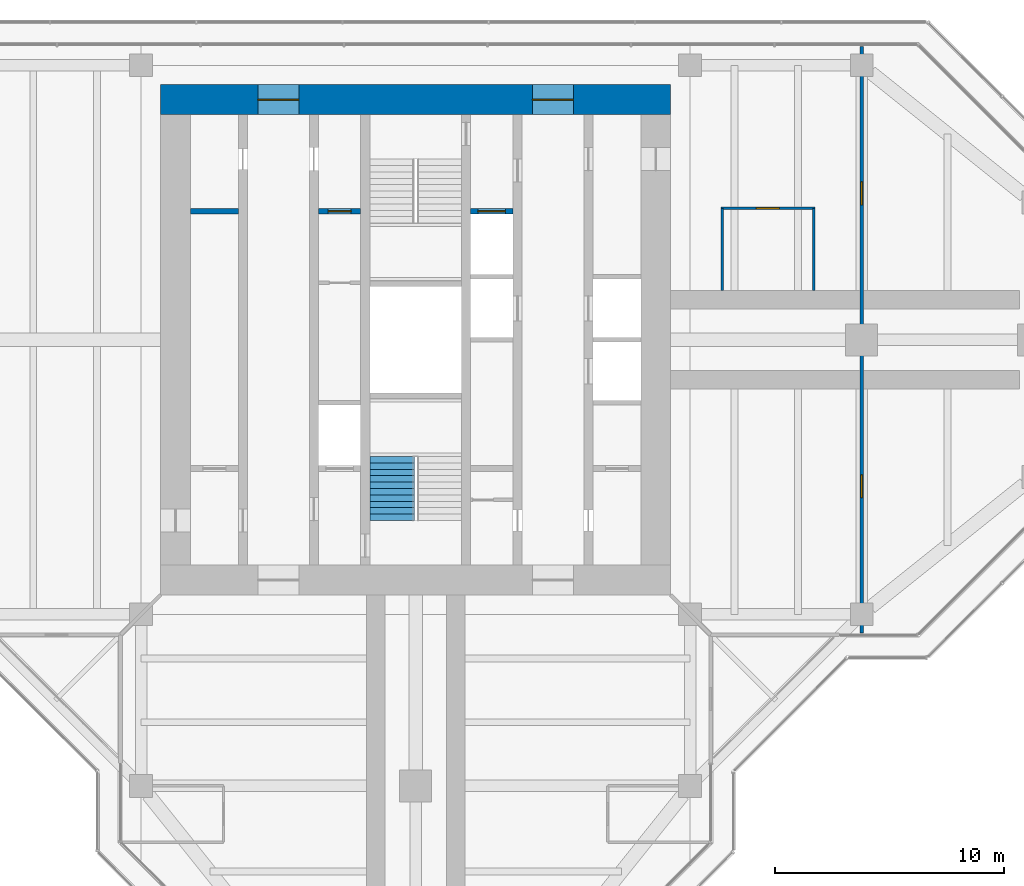
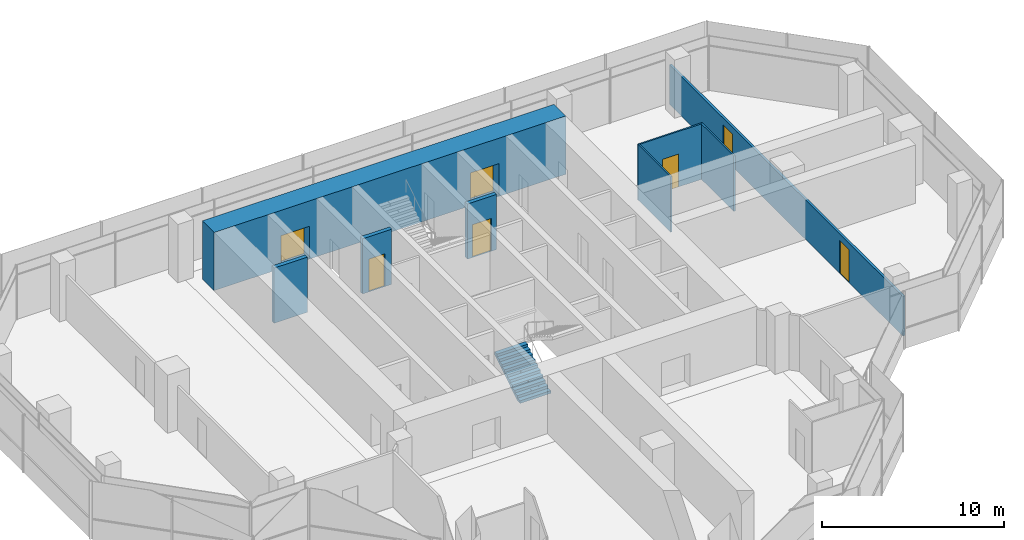
# One storey, part 13 of 15: 8 walls, 7 doors, 1 stair flight, 7 openings, 1 element without a shape of its own.
"""IFC4 building model written with IfcOpenShell, lengths in metres."""

import ifcopenshell
import ifcopenshell.guid

model = None  # the IFC model being written
_history = None  # IfcOwnerHistory: only IFC2X3 demands one
_inside = {}  # id of a spatial element -> (the spatial element, [elements in it])
_under = {}  # id of a project, library or spatial element -> (it, [spatial elements below it])
_declared = {}  # id of a project -> (the project, [libraries it declares])
_typed = {}  # id of a type object -> (the type object, [elements of that type])
_made_of = {}  # id of a material, layer set ... -> (it, [elements and type objects made of it])


def new_model(schema):
    """Start an empty IFC model of exactly this schema.

    Asked for "IFC4X3", IfcOpenShell would pick the latest addendum, in which some entities
    have other attributes; the version numbers below select the first issue.
    IFC2X3 requires an IfcOwnerHistory on every rooted entity: one is made here for all.
    """
    global model, _history
    if schema == "IFC4X3":
        model = ifcopenshell.file(schema_version=(4, 3, 0, 0))
    else:
        model = ifcopenshell.file(schema=schema)
    _inside.clear()
    _under.clear()
    _declared.clear()
    _typed.clear()
    _made_of.clear()
    _history = None
    if model.schema == "IFC2X3":
        org = make("IfcOrganization", Name="unknown")
        user = make(
            "IfcPersonAndOrganization",
            ThePerson=make("IfcPerson", FamilyName="unknown"),
            TheOrganization=org,
        )
        app = make(
            "IfcApplication",
            ApplicationDeveloper=org,
            Version="unknown",
            ApplicationFullName="unknown",
            ApplicationIdentifier="unknown",
        )
        _history = make(
            "IfcOwnerHistory",
            OwningUser=user,
            OwningApplication=app,
            ChangeAction="ADDED",
            CreationDate=0,
        )
    return model


def make(cls, **values):
    """One entity of the class cls with the attributes given. An attribute that is None is left unset."""
    return model.create_entity(
        cls, **{name: value for name, value in values.items() if value is not None}
    )


def rooted(cls, **values):
    """An entity with a GlobalId (a new one), such as an element, a storey or a relation."""
    return make(cls, GlobalId=ifcopenshell.guid.new(), OwnerHistory=_history, **values)


def si_unit(unit_type, name, prefix=None):
    """IfcSIUnit, for example si_unit("LENGTHUNIT", "METRE", prefix="MILLI")."""
    return make("IfcSIUnit", UnitType=unit_type, Prefix=prefix, Name=name)


def assignment(units):
    """IfcUnitAssignment: the units of a project."""
    return None if units is None else make("IfcUnitAssignment", Units=units)


def point(xyz):
    """IfcCartesianPoint."""
    return None if xyz is None else make("IfcCartesianPoint", Coordinates=xyz)


def direction(xyz):
    """IfcDirection."""
    return None if xyz is None else make("IfcDirection", DirectionRatios=xyz)


def frame(location, z_axis=None, x_axis=None):
    """IfcAxis2Placement3D, a coordinate frame: its origin and axes. An axis left out is left unset."""
    return make(
        "IfcAxis2Placement3D",
        Location=point(location),
        Axis=direction(z_axis),
        RefDirection=direction(x_axis),
    )


def frame_2d(location, x_axis=None):
    """IfcAxis2Placement2D, a coordinate frame in the plane: its origin and x axis."""
    return make(
        "IfcAxis2Placement2D", Location=point(location), RefDirection=direction(x_axis)
    )


def origin():
    """The frame at (0, 0, 0) with its axes left unset."""
    return frame((0.0, 0.0, 0.0))


def place(relative_to, where):
    """IfcLocalPlacement: puts the frame where relative to a parent placement (None: the world)."""
    return make(
        "IfcLocalPlacement", PlacementRelTo=relative_to, RelativePlacement=where
    )


def context(
    kind, dimensions, precision=None, world=None, true_north=None, identifier=None
):
    """IfcGeometricRepresentationContext, for example the 3D "Model" context."""
    return make(
        "IfcGeometricRepresentationContext",
        ContextIdentifier=identifier,
        ContextType=kind,
        CoordinateSpaceDimension=dimensions,
        Precision=precision,
        WorldCoordinateSystem=world,
        TrueNorth=true_north,
    )


def subcontext(parent, identifier, kind, view, scale=None):
    """IfcGeometricRepresentationSubContext, for example "Body" below "Model"."""
    return make(
        "IfcGeometricRepresentationSubContext",
        ContextIdentifier=identifier,
        ContextType=kind,
        ParentContext=parent,
        TargetScale=scale,
        TargetView=view,
    )


def project(units=None, contexts=None):
    """IfcProject with its units and contexts."""
    return rooted(
        "IfcProject",
        Name="project",
        RepresentationContexts=contexts,
        UnitsInContext=assignment(units),
    )


def spatial(cls, under=None, at=None, **own):
    """A site, building, storey or space (cls), placed at a placement, below another one or the project."""
    s = rooted(cls, ObjectPlacement=at, **own)
    if under is not None:
        _under.setdefault(under.id(), (under, []))[1].append(s)
    return s


def polyline(points):
    """IfcPolyline through the points."""
    return make("IfcPolyline", Points=[point(p) for p in points])


def profile(cls, at=None, kind="AREA", **sizes):
    """A parametric profile (cls). Its sizes go by their IFC names, for example OverallWidth=200.0."""
    return make(cls, ProfileType=kind, Position=at, **sizes)


def rectangle(**sizes):
    """IfcRectangleProfileDef."""
    return profile("IfcRectangleProfileDef", **sizes)


def outline(outer, holes=None, kind="AREA"):
    """IfcArbitraryClosedProfileDef: a profile drawn as a closed curve; with holes, ...WithVoids."""
    if holes is None:
        return make("IfcArbitraryClosedProfileDef", ProfileType=kind, OuterCurve=outer)
    return make(
        "IfcArbitraryProfileDefWithVoids",
        ProfileType=kind,
        OuterCurve=outer,
        InnerCurves=holes,
    )


def extrude(swept, where, along, depth):
    """IfcExtrudedAreaSolid: the profile swept, set in the frame where, extruded along a direction by depth."""
    return make(
        "IfcExtrudedAreaSolid",
        SweptArea=swept,
        Position=where,
        ExtrudedDirection=direction(along),
        Depth=depth,
    )


def shape(context_of_items, identifier, shape_type, items):
    """IfcShapeRepresentation: the items that make up one representation, for example the "Body"."""
    return make(
        "IfcShapeRepresentation",
        ContextOfItems=context_of_items,
        RepresentationIdentifier=identifier,
        RepresentationType=shape_type,
        Items=items,
    )


def material(Name=None, Category=None):
    """IfcMaterial."""
    return make("IfcMaterial", Name=Name, Category=Category)


def layer(
    of_material, thickness, ventilated=None, Name=None, Category=None, Priority=None
):
    """IfcMaterialLayer: one layer of a wall or slab, of a material (None: an air gap)."""
    return make(
        "IfcMaterialLayer",
        Material=of_material,
        LayerThickness=thickness,
        IsVentilated=ventilated,
        Name=Name,
        Category=Category,
        Priority=Priority,
    )


def layer_set(layers, Name=None):
    """IfcMaterialLayerSet."""
    return make("IfcMaterialLayerSet", MaterialLayers=layers, LayerSetName=Name)


def made_of(thing, what):
    """Note that an element or type object is made of a material, layer set ...; save() writes the relation."""
    if what is not None:
        _made_of.setdefault(what.id(), (what, []))[1].append(thing)
    return thing


def type_object(cls, material=None, **own):
    """A type object (cls), such as IfcWallType, which elements share."""
    return made_of(rooted(cls, **own), material)


def element(
    cls,
    number,
    at=None,
    inside=None,
    cuts=None,
    type_object=None,
    material=None,
    context=None,
    identifier="Body",
    shape_type=None,
    held_by="IfcProductDefinitionShape",
    body=None,
    shapes=None,
    **own,
):
    """One element of the class cls, such as IfcWall. Its Tag is "e" and its number.

    at: its placement. inside: the storey or other place that contains it. cuts: it is an
    opening in that element (IfcRelVoidsElement). A single representation is given by context,
    identifier, shape_type and body (its items); several are given by shapes. held_by: the class
    of the entity that holds the representations. save() writes the other relations.
    """
    e = rooted(cls, Tag="e%d" % number, ObjectPlacement=at, **own)
    if body is not None:
        shapes = [shape(context, identifier, shape_type, body)]
    if shapes is not None:
        e.Representation = make(held_by, Representations=shapes)
    if inside is not None:
        _inside.setdefault(inside.id(), (inside, []))[1].append(e)
    if cuts is not None:
        rooted(
            "IfcRelVoidsElement", RelatingBuildingElement=cuts, RelatedOpeningElement=e
        )
    if type_object is not None:
        _typed.setdefault(type_object.id(), (type_object, []))[1].append(e)
    return made_of(e, material)


def fill(opening, filler):
    """IfcRelFillsElement: the door or window that sits in an opening."""
    return rooted(
        "IfcRelFillsElement",
        RelatingOpeningElement=opening,
        RelatedBuildingElement=filler,
    )


def aggregate(whole, parts):
    """IfcRelAggregates: a whole, such as a stair, and the parts it consists of."""
    return rooted("IfcRelAggregates", RelatingObject=whole, RelatedObjects=parts)


def save(model, path):
    """Write the relations noted so far, then the file.

    IfcRelAggregates (storeys below a building ...), IfcRelContainedInSpatialStructure (elements
    in a storey), IfcRelDefinesByType, IfcRelAssociatesMaterial and IfcRelDeclares: one each for
    every whole, place, type object, material and project.
    """
    for whole, parts in _under.values():
        aggregate(whole, parts)
    for where, things in _inside.values():
        rooted(
            "IfcRelContainedInSpatialStructure",
            RelatedElements=things,
            RelatingStructure=where,
        )
    for kind, things in _typed.values():
        rooted("IfcRelDefinesByType", RelatedObjects=things, RelatingType=kind)
    for what, things in _made_of.values():
        rooted("IfcRelAssociatesMaterial", RelatedObjects=things, RelatingMaterial=what)
    for by, libraries in _declared.values():
        rooted("IfcRelDeclares", RelatingContext=by, RelatedDefinitions=libraries)
    model.write(path)


model = new_model("IFC4")

# Units and contexts
model_context = context("Model", 3, precision=1e-05, world=origin(), true_north=direction((0.0, 1.0)))
body_context = subcontext(model_context, "Body", "Model", "MODEL_VIEW")
ifc_project = project(units=[si_unit("LENGTHUNIT", "METRE"), si_unit("AREAUNIT", "SQUARE_METRE"), si_unit("VOLUMEUNIT", "CUBIC_METRE"), si_unit("PLANEANGLEUNIT", "RADIAN"), si_unit("MASSUNIT", "GRAM", prefix="KILO")], contexts=[model_context])

# Site, building, storey
site_placement = place(None, origin())
site = spatial("IfcSite", under=ifc_project, at=site_placement, CompositionType="ELEMENT")
building_placement = place(site_placement, origin())
building = spatial("IfcBuilding", under=site, at=building_placement, Name="Mizan Broadcast Tower", CompositionType="ELEMENT")
storey_placement = place(building_placement, frame((0.0, 0.0, 302.39990234375)))
storey = spatial("IfcBuildingStorey", under=building, at=storey_placement, Name="L72", CompositionType="ELEMENT", Elevation=302.39990234375)

# Wall, openings, doors
ifc_material_1 = material(Name="Concrete C70/85", Category="concrete")
ifc_layer_1 = layer(ifc_material_1, 1.300048828125)
ifc_layer_set_1 = layer_set([ifc_layer_1], Name="Concrete C70/85")
wall_type_1 = type_object("IfcWallType", Name="CORE WALL 1300", PredefinedType="SHEAR", material=ifc_layer_set_1)
wall_1_placement = place(storey_placement, frame((-11.14990234375, 10.5, 0.0), z_axis=(0.0, 0.0, 1.0), x_axis=(1.0, 0.0, 0.0)))
wall_1 = element("IfcWall", 1, at=wall_1_placement, inside=storey, type_object=wall_type_1, Name="Core wall N L72", PredefinedType="SHEAR", context=body_context, shape_type="SweptSolid", body=[
    extrude(rectangle(XDim=22.2998046875, YDim=1.300048828125, at=frame_2d((11.14990234375, 0.0))), origin(), (0.0, 0.0, 1.0), 3.900146484375),
])
opening_1_placement = place(wall_1_placement, frame((4.25, 0.0, 0.0)))
opening_1 = element("IfcOpeningElement", 2, at=opening_1_placement, cuts=wall_1, Name="Opening D18F", PredefinedType="OPENING", context=body_context, shape_type="SweptSolid", body=[
    extrude(rectangle(XDim=1.800048828125, YDim=2.199951171875, at=frame_2d((0.89990234375, 1.10009765625))), frame((0.0, 0.659912109375, 0.0), z_axis=(0.0, -1.0, 0.0), x_axis=(1.0, 0.0, 0.0)), (0.0, 0.0, 1.0), 1.320068359375),
])
opening_2_placement = place(wall_1_placement, frame((16.25, 0.0, 0.0)))
opening_2 = element("IfcOpeningElement", 3, at=opening_2_placement, cuts=wall_1, Name="Opening D18F", PredefinedType="OPENING", context=body_context, shape_type="SweptSolid", body=[
    extrude(rectangle(XDim=1.800048828125, YDim=2.199951171875, at=frame_2d((0.89990234375, 1.10009765625))), frame((0.0, 0.659912109375, 0.0), z_axis=(0.0, -1.0, 0.0), x_axis=(1.0, 0.0, 0.0)), (0.0, 0.0, 1.0), 1.320068359375),
])
ifc_material_2 = material(Name="Steel door leaf in steel frame", Category="steel")
door_type_1 = type_object("IfcDoorType", Name="LOBBY DOUBLE DOOR 1800 FD90", OperationType="DOUBLE_DOOR_DOUBLE_SWING", PredefinedType="DOOR", material=ifc_material_2)
door_1_placement = place(opening_1_placement, origin())
door_1 = element("IfcDoor", 4, at=door_1_placement, inside=storey, type_object=door_type_1, Name="West lift lobby north door", OperationType="DOUBLE_DOOR_DOUBLE_SWING", OverallHeight=2.199951171875, OverallWidth=1.800048828125, PredefinedType="DOOR", context=body_context, shape_type="SweptSolid", body=[
    extrude(rectangle(XDim=1.800048828125, YDim=2.199951171875, at=frame_2d((0.89990234375, 1.10009765625))), frame((0.0, 0.02490234375, 0.0), z_axis=(0.0, -1.0, 0.0), x_axis=(1.0, 0.0, 0.0)), (0.0, 0.0, 1.0), 0.050048828125),
])
fill(opening_1, door_1)
door_2_placement = place(opening_2_placement, origin())
door_2 = element("IfcDoor", 5, at=door_2_placement, inside=storey, type_object=door_type_1, Name="East lift lobby north door", OperationType="DOUBLE_DOOR_DOUBLE_SWING", OverallHeight=2.199951171875, OverallWidth=1.800048828125, PredefinedType="DOOR", context=body_context, shape_type="SweptSolid", body=[
    extrude(rectangle(XDim=1.800048828125, YDim=2.199951171875, at=frame_2d((0.89990234375, 1.10009765625))), frame((0.0, 0.02490234375, 0.0), z_axis=(0.0, -1.0, 0.0), x_axis=(1.0, 0.0, 0.0)), (0.0, 0.0, 1.0), 0.050048828125),
])
fill(opening_2, door_2)

# Wall
ifc_material_3 = material(Name="Concrete blockwork", Category="masonry")
ifc_layer_2 = layer(ifc_material_3, 0.25)
ifc_layer_set_2 = layer_set([ifc_layer_2], Name="Concrete blockwork")
wall_type_2 = type_object("IfcWallType", Name="LOBBY ENCLOSURE WALL 250", PredefinedType="SOLIDWALL", material=ifc_layer_set_2)
wall_2_placement = place(storey_placement, frame((-9.85009765625, 5.625, 0.0), z_axis=(0.0, 0.0, 1.0), x_axis=(1.0, 0.0, 0.0)))
element("IfcWall", 6, at=wall_2_placement, inside=storey, type_object=wall_type_2, Name="Lobby enclosure wall CORE/BW1N", PredefinedType="SOLIDWALL", context=body_context, shape_type="SweptSolid", body=[
    extrude(rectangle(XDim=2.10009765625, YDim=0.25, at=frame_2d((1.050048828125, 0.0))), origin(), (0.0, 0.0, 1.0), 3.7001953125),
])

# Wall, opening, door
wall_3_placement = place(storey_placement, frame((-4.25, 5.625, 0.0), z_axis=(0.0, 0.0, 1.0), x_axis=(1.0, 0.0, 0.0)))
wall_3 = element("IfcWall", 7, at=wall_3_placement, inside=storey, type_object=wall_type_2, Name="Lobby enclosure wall CORE/BW2N", PredefinedType="SOLIDWALL", context=body_context, shape_type="SweptSolid", body=[
    extrude(rectangle(XDim=1.85009765625, YDim=0.25, at=frame_2d((0.925048828125, 0.0))), origin(), (0.0, 0.0, 1.0), 3.7001953125),
])
opening_3_placement = place(wall_3_placement, frame((0.425048828125, 0.0, 0.0)))
opening_3 = element("IfcOpeningElement", 8, at=opening_3_placement, cuts=wall_3, Name="Opening D10F", PredefinedType="OPENING", context=body_context, shape_type="SweptSolid", body=[
    extrude(rectangle(XDim=1.0, YDim=2.199951171875, at=frame_2d((0.5, 1.10009765625))), frame((0.0, 0.135009765625, 0.0), z_axis=(0.0, -1.0, 0.0), x_axis=(1.0, 0.0, 0.0)), (0.0, 0.0, 1.0), 0.27001953125),
])
ifc_material_4 = material(Name="Steel door leaf in steel frame", Category="steel")
door_type_2 = type_object("IfcDoorType", Name="FIRE DOOR 1000 FD90", OperationType="SINGLE_SWING_LEFT", PredefinedType="DOOR", material=ifc_material_4)
door_3_placement = place(opening_3_placement, origin())
door_3 = element("IfcDoor", 9, at=door_3_placement, inside=storey, type_object=door_type_2, Name="Accessible changing room door", OperationType="SINGLE_SWING_RIGHT", OverallHeight=2.199951171875, OverallWidth=1.0, PredefinedType="DOOR", context=body_context, shape_type="SweptSolid", body=[
    extrude(rectangle(XDim=1.0, YDim=2.199951171875, at=frame_2d((0.5, 1.10009765625))), frame((0.0, 0.02490234375, 0.0), z_axis=(0.0, -1.0, 0.0), x_axis=(1.0, 0.0, 0.0)), (0.0, 0.0, 1.0), 0.050048828125),
])
fill(opening_3, door_3)

wall_4_placement = place(storey_placement, frame((2.39990234375, 5.625, 0.0), z_axis=(0.0, 0.0, 1.0), x_axis=(1.0, 0.0, 0.0)))
wall_4 = element("IfcWall", 10, at=wall_4_placement, inside=storey, type_object=wall_type_2, Name="Lobby enclosure wall CORE/BE2N", PredefinedType="SOLIDWALL", context=body_context, shape_type="SweptSolid", body=[
    extrude(rectangle(XDim=1.85009765625, YDim=0.25, at=frame_2d((0.925048828125, 0.0))), origin(), (0.0, 0.0, 1.0), 3.7001953125),
])
opening_4_placement = place(wall_4_placement, frame((0.324951171875, 0.0, 0.0)))
opening_4 = element("IfcOpeningElement", 11, at=opening_4_placement, cuts=wall_4, Name="Opening LDF", PredefinedType="OPENING", context=body_context, shape_type="SweptSolid", body=[
    extrude(rectangle(XDim=1.199951171875, YDim=2.199951171875, at=frame_2d((0.60009765625, 1.10009765625))), frame((0.0, 0.135009765625, 0.0), z_axis=(0.0, -1.0, 0.0), x_axis=(1.0, 0.0, 0.0)), (0.0, 0.0, 1.0), 0.27001953125),
])
ifc_material_5 = material(Name="Steel door leaf in steel frame", Category="steel")
door_type_3 = type_object("IfcDoorType", Name="FIREFIGHTING LIFT LANDING DOOR 1200", OperationType="SLIDING_TO_LEFT", PredefinedType="DOOR", material=ifc_material_5)
door_4_placement = place(opening_4_placement, origin())
door_4 = element("IfcDoor", 12, at=door_4_placement, inside=storey, type_object=door_type_3, Name="Landing door FF2", OperationType="SLIDING_TO_LEFT", OverallHeight=2.199951171875, OverallWidth=1.199951171875, PredefinedType="DOOR", context=body_context, shape_type="SweptSolid", body=[
    extrude(rectangle(XDim=1.199951171875, YDim=2.199951171875, at=frame_2d((0.60009765625, 1.10009765625))), frame((0.0, 0.02490234375, 0.0), z_axis=(0.0, -1.0, 0.0), x_axis=(1.0, 0.0, 0.0)), (0.0, 0.0, 1.0), 0.050048828125),
])
fill(opening_4, door_4)

# Wall, openings, doors
ifc_material_6 = material(Name="Gypsum board on steel studs", Category="steel")
ifc_layer_3 = layer(ifc_material_6, 0.14990234375)
ifc_layer_set_3 = layer_set([ifc_layer_3], Name="Gypsum board on steel studs")
wall_type_3 = type_object("IfcWallType", Name="PARTITION 150", PredefinedType="PARTITIONING", material=ifc_layer_set_3)
wall_5_placement = place(storey_placement, frame((19.5, -12.820068359375, 0.0), z_axis=(0.0, 0.0, 1.0), x_axis=(0.0, 1.0, 0.0)))
wall_5 = element("IfcWall", 13, at=wall_5_placement, inside=storey, type_object=wall_type_3, Name="Partition PT/EX1", PredefinedType="PARTITIONING", context=body_context, shape_type="SweptSolid", body=[
    extrude(rectangle(XDim=25.64013671875, YDim=0.14990234375, at=frame_2d((12.820068359375, 0.0))), origin(), (0.0, 0.0, 1.0), 2.650146484375),
])
opening_5_placement = place(wall_5_placement, frame((18.719970703125, 0.0, 0.0)))
opening_5 = element("IfcOpeningElement", 14, at=opening_5_placement, cuts=wall_5, Name="Opening D10", PredefinedType="OPENING", context=body_context, shape_type="SweptSolid", body=[
    extrude(rectangle(XDim=1.0, YDim=2.199951171875, at=frame_2d((0.5, 1.10009765625))), frame((0.0, 0.0849609375, 0.0), z_axis=(0.0, -1.0, 0.0), x_axis=(1.0, 0.0, 0.0)), (0.0, 0.0, 1.0), 0.169921875),
])
opening_6_placement = place(wall_5_placement, frame((5.919921875, 0.0, 0.0)))
opening_6 = element("IfcOpeningElement", 15, at=opening_6_placement, cuts=wall_5, Name="Opening D10", PredefinedType="OPENING", context=body_context, shape_type="SweptSolid", body=[
    extrude(rectangle(XDim=1.0, YDim=2.199951171875, at=frame_2d((0.5, 1.10009765625))), frame((0.0, 0.0849609375, 0.0), z_axis=(0.0, -1.0, 0.0), x_axis=(1.0, 0.0, 0.0)), (0.0, 0.0, 1.0), 0.169921875),
])
ifc_material_7 = material(Name="Timber door leaf in aluminium frame", Category="wood")
door_type_4 = type_object("IfcDoorType", Name="ROOM DOOR 1000", OperationType="SINGLE_SWING_LEFT", PredefinedType="DOOR", material=ifc_material_7)
door_5_placement = place(opening_5_placement, origin())
door_5 = element("IfcDoor", 16, at=door_5_placement, inside=storey, type_object=door_type_4, Name="Private dining room door", OperationType="SINGLE_SWING_RIGHT", OverallHeight=2.199951171875, OverallWidth=1.0, PredefinedType="DOOR", context=body_context, shape_type="SweptSolid", body=[
    extrude(rectangle(XDim=1.0, YDim=2.199951171875, at=frame_2d((0.5, 1.10009765625))), frame((0.0, 0.02490234375, 0.0), z_axis=(0.0, -1.0, 0.0), x_axis=(1.0, 0.0, 0.0)), (0.0, 0.0, 1.0), 0.050048828125),
])
fill(opening_5, door_5)
door_6_placement = place(opening_6_placement, origin())
door_6 = element("IfcDoor", 17, at=door_6_placement, inside=storey, type_object=door_type_4, Name="Private dining room door", OperationType="SINGLE_SWING_LEFT", OverallHeight=2.199951171875, OverallWidth=1.0, PredefinedType="DOOR", context=body_context, shape_type="SweptSolid", body=[
    extrude(rectangle(XDim=1.0, YDim=2.199951171875, at=frame_2d((0.5, 1.10009765625))), frame((0.0, 0.02490234375, 0.0), z_axis=(0.0, -1.0, 0.0), x_axis=(1.0, 0.0, 0.0)), (0.0, 0.0, 1.0), 0.050048828125),
])
fill(opening_6, door_6)

# Walls
ifc_material_8 = material(Name="Glazed aluminium partition on aluminium track", Category="aluminium")
ifc_layer_4 = layer(ifc_material_8, 0.10009765625)
ifc_layer_set_4 = layer_set([ifc_layer_4], Name="Glazed aluminium partition on aluminium track")
wall_type_4 = type_object("IfcWallType", Name="PARTITION GLAZED OFFICE FRONT 100", PredefinedType="PARTITIONING", material=ifc_layer_set_4)
for number, where, z_axis, x_axis, name in (
    (18, (13.39990234375, 2.14990234375, 0.0), (0.0, 0.0, 1.0), (0.0, 1.0, 0.0), "Glazed office front PT/EKP0a"),
    (19, (17.39990234375, 2.14990234375, 0.0), (0.0, 0.0, 1.0), (0.0, 1.0, 0.0), "Glazed office front PT/EKP0b"),
):
    element("IfcWall", number, at=place(storey_placement, frame(where, z_axis=z_axis, x_axis=x_axis)), inside=storey, type_object=wall_type_4, Name=name, PredefinedType="PARTITIONING", context=body_context, shape_type="SweptSolid", body=[
        extrude(rectangle(XDim=3.60009765625, YDim=0.10009765625, at=frame_2d((1.800048828125, 0.0))), origin(), (0.0, 0.0, 1.0), 3.72021484375),
    ])

# Wall, opening, door
wall_6_placement = place(storey_placement, frame((13.35009765625, 5.75, 0.0), z_axis=(0.0, 0.0, 1.0), x_axis=(1.0, 0.0, 0.0)))
wall_6 = element("IfcWall", 20, at=wall_6_placement, inside=storey, type_object=wall_type_4, Name="Glazed office front PT/EKP0f", PredefinedType="PARTITIONING", context=body_context, shape_type="SweptSolid", body=[
    extrude(rectangle(XDim=4.099853515625, YDim=0.10009765625, at=frame_2d((2.0498046875, 0.0))), origin(), (0.0, 0.0, 1.0), 3.72021484375),
])
opening_7_placement = place(wall_6_placement, frame((1.550048828125, 0.0, 0.0)))
opening_7 = element("IfcOpeningElement", 21, at=opening_7_placement, cuts=wall_6, Name="Opening D10O", PredefinedType="OPENING", context=body_context, shape_type="SweptSolid", body=[
    extrude(rectangle(XDim=1.0, YDim=2.199951171875, at=frame_2d((0.5, 1.10009765625))), frame((0.0, 0.06005859375, 0.0), z_axis=(0.0, -1.0, 0.0), x_axis=(1.0, 0.0, 0.0)), (0.0, 0.0, 1.0), 0.1201171875),
])
ifc_material_9 = material(Name="Timber door leaf in aluminium frame", Category="wood")
door_type_5 = type_object("IfcDoorType", Name="OFFICE DOOR 1000 GLAZED", OperationType="SINGLE_SWING_LEFT", PredefinedType="DOOR", material=ifc_material_9)
door_7_placement = place(opening_7_placement, origin())
door_7 = element("IfcDoor", 22, at=door_7_placement, inside=storey, type_object=door_type_5, Name="Servery door", OperationType="SINGLE_SWING_LEFT", OverallHeight=2.199951171875, OverallWidth=1.0, PredefinedType="DOOR", context=body_context, shape_type="SweptSolid", body=[
    extrude(rectangle(XDim=1.0, YDim=2.199951171875, at=frame_2d((0.5, 1.10009765625))), frame((0.0, 0.02490234375, 0.0), z_axis=(0.0, -1.0, 0.0), x_axis=(1.0, 0.0, 0.0)), (0.0, 0.0, 1.0), 0.050048828125),
])
fill(opening_7, door_7)

# Stair, stair flight
ifc_material_10 = material(Name="Concrete C40/50", Category="concrete")
stair_type = type_object("IfcStairType", Name="EXIT STAIR", PredefinedType="HALF_TURN_STAIR", material=ifc_material_10)
stair_placement = place(storey_placement, origin())
stair = element("IfcStair", 23, at=stair_placement, inside=storey, type_object=stair_type, Name="Stair A L72", PredefinedType="HALF_TURN_STAIR")
ifc_material_11 = material(Name="Concrete C40/50", Category="concrete")
stair_flight_type = type_object("IfcStairFlightType", Name="EXIT STAIR FLIGHT", PredefinedType="STRAIGHT", material=ifc_material_11)
stair_flight_placement = place(storey_placement, frame((-1.02490234375, -7.89990234375, 0.0), z_axis=(0.0, 0.0, 1.0), x_axis=(0.0, 1.0, 0.0)))
stair_flight = element("IfcStairFlight", 24, at=stair_flight_placement, type_object=stair_flight_type, Name="A flight 1", NumberOfRisers=11, NumberOfTreads=10, PredefinedType="STRAIGHT", RiserHeight=0.177272727, TreadLength=0.28, context=body_context, shape_type="SweptSolid", body=[
    extrude(outline(polyline([(0.0, 0.0), (0.0, 0.17724609375), (0.280029296875, 0.17724609375), (0.280029296875, 0.3544921875), (0.56005859375, 0.3544921875), (0.56005859375, 0.53173828125), (0.840087890625, 0.53173828125), (0.840087890625, 0.708984375), (1.1201171875, 0.708984375), (1.1201171875, 0.886474609375), (1.39990234375, 0.886474609375), (1.39990234375, 1.063720703125), (1.679931640625, 1.063720703125), (1.679931640625, 1.240966796875), (1.9599609375, 1.240966796875), (1.9599609375, 1.418212890625), (2.239990234375, 1.418212890625), (2.239990234375, 1.595458984375), (2.52001953125, 1.595458984375), (2.52001953125, 1.772705078125), (2.800048828125, 1.772705078125), (2.800048828125, 1.949951171875), (2.800048828125, 1.59521484375), (0.2802734375, 0.0), (0.0, 0.0)])), frame((0.0, 0.97509765625, 0.0), z_axis=(0.0, -1.0, 0.0), x_axis=(1.0, 0.0, 0.0)), (0.0, 0.0, 1.0), 0.4873046875),
    extrude(outline(polyline([(0.0, 0.0), (0.0, 0.17724609375), (0.280029296875, 0.17724609375), (0.280029296875, 0.3544921875), (0.56005859375, 0.3544921875), (0.56005859375, 0.53173828125), (0.840087890625, 0.53173828125), (0.840087890625, 0.708984375), (1.1201171875, 0.708984375), (1.1201171875, 0.886474609375), (1.39990234375, 0.886474609375), (1.39990234375, 1.063720703125), (1.679931640625, 1.063720703125), (1.679931640625, 1.240966796875), (1.9599609375, 1.240966796875), (1.9599609375, 1.418212890625), (2.239990234375, 1.418212890625), (2.239990234375, 1.595458984375), (2.52001953125, 1.595458984375), (2.52001953125, 1.772705078125), (2.800048828125, 1.772705078125), (2.800048828125, 1.949951171875), (2.800048828125, 1.59521484375), (0.2802734375, 0.0), (0.0, 0.0)])), frame((0.0, 0.4873046875, 0.0), z_axis=(0.0, -1.0, 0.0), x_axis=(1.0, 0.0, 0.0)), (0.0, 0.0, 1.0), 0.2431640625),
    extrude(outline(polyline([(0.0, 0.0), (0.0, 0.17724609375), (0.280029296875, 0.17724609375), (0.280029296875, 0.3544921875), (0.56005859375, 0.3544921875), (0.56005859375, 0.53173828125), (0.840087890625, 0.53173828125), (0.840087890625, 0.708984375), (1.1201171875, 0.708984375), (1.1201171875, 0.886474609375), (1.39990234375, 0.886474609375), (1.39990234375, 1.063720703125), (1.679931640625, 1.063720703125), (1.679931640625, 1.240966796875), (1.9599609375, 1.240966796875), (1.9599609375, 1.418212890625), (2.239990234375, 1.418212890625), (2.239990234375, 1.595458984375), (2.52001953125, 1.595458984375), (2.52001953125, 1.772705078125), (2.800048828125, 1.772705078125), (2.800048828125, 1.949951171875), (2.800048828125, 1.59521484375), (0.2802734375, 0.0), (0.0, 0.0)])), frame((0.0, 0.24365234375, 0.0), z_axis=(0.0, -1.0, 0.0), x_axis=(1.0, 0.0, 0.0)), (0.0, 0.0, 1.0), 0.121337890625),
    extrude(outline(polyline([(0.0, 0.0), (0.0, 0.17724609375), (0.280029296875, 0.17724609375), (0.280029296875, 0.3544921875), (0.56005859375, 0.3544921875), (0.56005859375, 0.53173828125), (0.840087890625, 0.53173828125), (0.840087890625, 0.708984375), (1.1201171875, 0.708984375), (1.1201171875, 0.886474609375), (1.39990234375, 0.886474609375), (1.39990234375, 1.063720703125), (1.679931640625, 1.063720703125), (1.679931640625, 1.240966796875), (1.9599609375, 1.240966796875), (1.9599609375, 1.418212890625), (2.239990234375, 1.418212890625), (2.239990234375, 1.595458984375), (2.52001953125, 1.595458984375), (2.52001953125, 1.772705078125), (2.800048828125, 1.772705078125), (2.800048828125, 1.949951171875), (2.800048828125, 1.59521484375), (0.2802734375, 0.0), (0.0, 0.0)])), frame((0.0, 0.121826171875, 0.0), z_axis=(0.0, -1.0, 0.0), x_axis=(1.0, 0.0, 0.0)), (0.0, 0.0, 1.0), 0.060546875),
    extrude(outline(polyline([(0.0, 0.0), (0.0, 0.17724609375), (0.280029296875, 0.17724609375), (0.280029296875, 0.3544921875), (0.56005859375, 0.3544921875), (0.56005859375, 0.53173828125), (0.840087890625, 0.53173828125), (0.840087890625, 0.708984375), (1.1201171875, 0.708984375), (1.1201171875, 0.886474609375), (1.39990234375, 0.886474609375), (1.39990234375, 1.063720703125), (1.679931640625, 1.063720703125), (1.679931640625, 1.240966796875), (1.9599609375, 1.240966796875), (1.9599609375, 1.418212890625), (2.239990234375, 1.418212890625), (2.239990234375, 1.595458984375), (2.52001953125, 1.595458984375), (2.52001953125, 1.772705078125), (2.800048828125, 1.772705078125), (2.800048828125, 1.949951171875), (2.800048828125, 1.59521484375), (0.2802734375, 0.0), (0.0, 0.0)])), frame((0.0, 0.060791015625, 0.0), z_axis=(0.0, -1.0, 0.0), x_axis=(1.0, 0.0, 0.0)), (0.0, 0.0, 1.0), 0.030029296875),
    extrude(outline(polyline([(0.0, 0.0), (0.0, 0.17724609375), (0.280029296875, 0.17724609375), (0.280029296875, 0.3544921875), (0.56005859375, 0.3544921875), (0.56005859375, 0.53173828125), (0.840087890625, 0.53173828125), (0.840087890625, 0.708984375), (1.1201171875, 0.708984375), (1.1201171875, 0.886474609375), (1.39990234375, 0.886474609375), (1.39990234375, 1.063720703125), (1.679931640625, 1.063720703125), (1.679931640625, 1.240966796875), (1.9599609375, 1.240966796875), (1.9599609375, 1.418212890625), (2.239990234375, 1.418212890625), (2.239990234375, 1.595458984375), (2.52001953125, 1.595458984375), (2.52001953125, 1.772705078125), (2.800048828125, 1.772705078125), (2.800048828125, 1.949951171875), (2.800048828125, 1.59521484375), (0.2802734375, 0.0), (0.0, 0.0)])), frame((0.0, 0.0302734375, 0.0), z_axis=(0.0, -1.0, 0.0), x_axis=(1.0, 0.0, 0.0)), (0.0, 0.0, 1.0), 0.060302734375),
    extrude(outline(polyline([(0.0, 0.0), (0.0, 0.17724609375), (0.280029296875, 0.17724609375), (0.280029296875, 0.3544921875), (0.56005859375, 0.3544921875), (0.56005859375, 0.53173828125), (0.840087890625, 0.53173828125), (0.840087890625, 0.708984375), (1.1201171875, 0.708984375), (1.1201171875, 0.886474609375), (1.39990234375, 0.886474609375), (1.39990234375, 1.063720703125), (1.679931640625, 1.063720703125), (1.679931640625, 1.240966796875), (1.9599609375, 1.240966796875), (1.9599609375, 1.418212890625), (2.239990234375, 1.418212890625), (2.239990234375, 1.595458984375), (2.52001953125, 1.595458984375), (2.52001953125, 1.772705078125), (2.800048828125, 1.772705078125), (2.800048828125, 1.949951171875), (2.800048828125, 1.59521484375), (0.2802734375, 0.0), (0.0, 0.0)])), frame((0.0, -0.030517578125, 0.0), z_axis=(0.0, -1.0, 0.0), x_axis=(1.0, 0.0, 0.0)), (0.0, 0.0, 1.0), 0.030029296875),
    extrude(outline(polyline([(0.0, 0.0), (0.0, 0.17724609375), (0.280029296875, 0.17724609375), (0.280029296875, 0.3544921875), (0.56005859375, 0.3544921875), (0.56005859375, 0.53173828125), (0.840087890625, 0.53173828125), (0.840087890625, 0.708984375), (1.1201171875, 0.708984375), (1.1201171875, 0.886474609375), (1.39990234375, 0.886474609375), (1.39990234375, 1.063720703125), (1.679931640625, 1.063720703125), (1.679931640625, 1.240966796875), (1.9599609375, 1.240966796875), (1.9599609375, 1.418212890625), (2.239990234375, 1.418212890625), (2.239990234375, 1.595458984375), (2.52001953125, 1.595458984375), (2.52001953125, 1.772705078125), (2.800048828125, 1.772705078125), (2.800048828125, 1.949951171875), (2.800048828125, 1.59521484375), (0.2802734375, 0.0), (0.0, 0.0)])), frame((0.0, -0.06103515625, 0.0), z_axis=(0.0, -1.0, 0.0), x_axis=(1.0, 0.0, 0.0)), (0.0, 0.0, 1.0), 0.060546875),
    extrude(outline(polyline([(0.0, 0.0), (0.0, 0.17724609375), (0.280029296875, 0.17724609375), (0.280029296875, 0.3544921875), (0.56005859375, 0.3544921875), (0.56005859375, 0.53173828125), (0.840087890625, 0.53173828125), (0.840087890625, 0.708984375), (1.1201171875, 0.708984375), (1.1201171875, 0.886474609375), (1.39990234375, 0.886474609375), (1.39990234375, 1.063720703125), (1.679931640625, 1.063720703125), (1.679931640625, 1.240966796875), (1.9599609375, 1.240966796875), (1.9599609375, 1.418212890625), (2.239990234375, 1.418212890625), (2.239990234375, 1.595458984375), (2.52001953125, 1.595458984375), (2.52001953125, 1.772705078125), (2.800048828125, 1.772705078125), (2.800048828125, 1.949951171875), (2.800048828125, 1.59521484375), (0.2802734375, 0.0), (0.0, 0.0)])), frame((0.0, -0.1220703125, 0.0), z_axis=(0.0, -1.0, 0.0), x_axis=(1.0, 0.0, 0.0)), (0.0, 0.0, 1.0), 0.121337890625),
    extrude(outline(polyline([(0.0, 0.0), (0.0, 0.17724609375), (0.280029296875, 0.17724609375), (0.280029296875, 0.3544921875), (0.56005859375, 0.3544921875), (0.56005859375, 0.53173828125), (0.840087890625, 0.53173828125), (0.840087890625, 0.708984375), (1.1201171875, 0.708984375), (1.1201171875, 0.886474609375), (1.39990234375, 0.886474609375), (1.39990234375, 1.063720703125), (1.679931640625, 1.063720703125), (1.679931640625, 1.240966796875), (1.9599609375, 1.240966796875), (1.9599609375, 1.418212890625), (2.239990234375, 1.418212890625), (2.239990234375, 1.595458984375), (2.52001953125, 1.595458984375), (2.52001953125, 1.772705078125), (2.800048828125, 1.772705078125), (2.800048828125, 1.949951171875), (2.800048828125, 1.59521484375), (0.2802734375, 0.0), (0.0, 0.0)])), frame((0.0, -0.243896484375, 0.0), z_axis=(0.0, -1.0, 0.0), x_axis=(1.0, 0.0, 0.0)), (0.0, 0.0, 1.0), 0.2431640625),
    extrude(outline(polyline([(0.0, 0.0), (0.0, 0.17724609375), (0.280029296875, 0.17724609375), (0.280029296875, 0.3544921875), (0.56005859375, 0.3544921875), (0.56005859375, 0.53173828125), (0.840087890625, 0.53173828125), (0.840087890625, 0.708984375), (1.1201171875, 0.708984375), (1.1201171875, 0.886474609375), (1.39990234375, 0.886474609375), (1.39990234375, 1.063720703125), (1.679931640625, 1.063720703125), (1.679931640625, 1.240966796875), (1.9599609375, 1.240966796875), (1.9599609375, 1.418212890625), (2.239990234375, 1.418212890625), (2.239990234375, 1.595458984375), (2.52001953125, 1.595458984375), (2.52001953125, 1.772705078125), (2.800048828125, 1.772705078125), (2.800048828125, 1.949951171875), (2.800048828125, 1.59521484375), (0.2802734375, 0.0), (0.0, 0.0)])), frame((0.0, -0.487548828125, 0.0), z_axis=(0.0, -1.0, 0.0), x_axis=(1.0, 0.0, 0.0)), (0.0, 0.0, 1.0), 0.4873046875),
])
aggregate(stair, [stair_flight])

save(model, "model.ifc")
